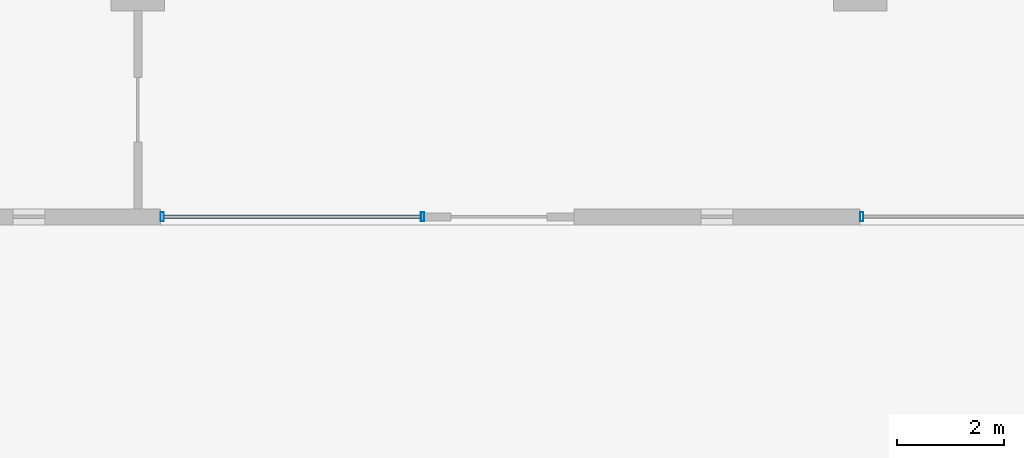
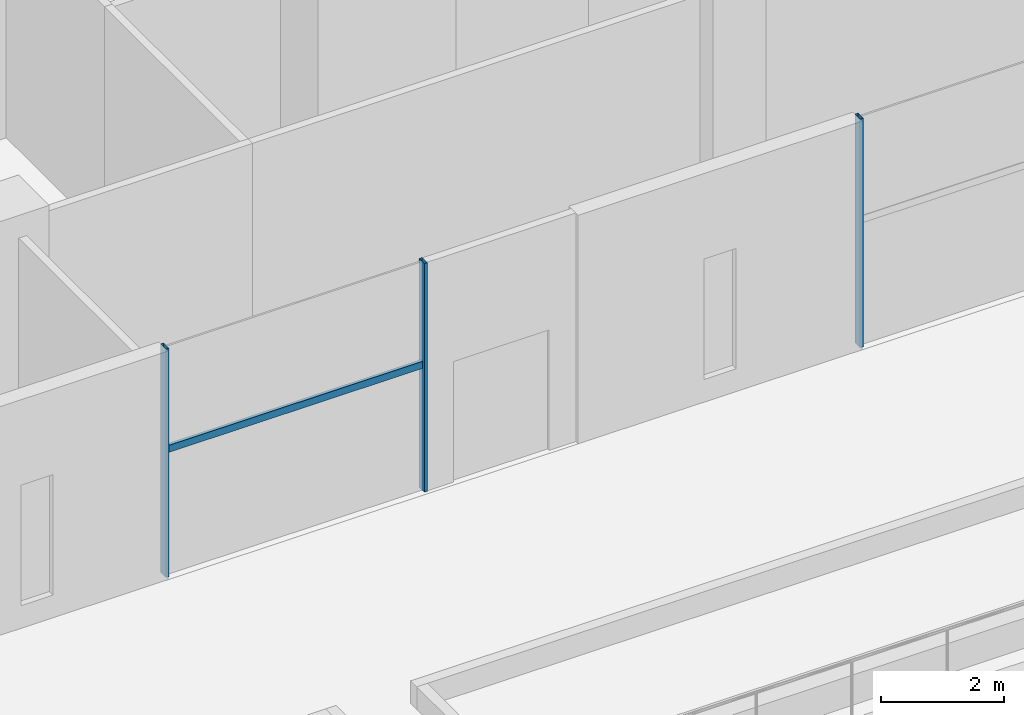
# One storey, part 2 of 49: 4 members, 2 elements without a shape of their own.
"""IFC4 building model written with IfcOpenShell, lengths in metres."""

from ifc_helpers import new_model, si_unit, direction, frame, origin, origin_2d, place, context, subcontext, project, spatial, hollow_rectangle, extrude, material, material_profile, profile_set, type_object, element, aggregate, save


model = new_model("IFC4")

# Units and contexts
model_context = context("Model", 3, precision=1e-05, world=origin(), true_north=direction((0.0, 1.0)))
body_context = subcontext(model_context, "Body", "Model", "MODEL_VIEW")
ifc_project = project(units=[si_unit("LENGTHUNIT", "METRE"), si_unit("AREAUNIT", "SQUARE_METRE"), si_unit("VOLUMEUNIT", "CUBIC_METRE"), si_unit("PLANEANGLEUNIT", "RADIAN"), si_unit("MASSUNIT", "GRAM", prefix="KILO")], contexts=[model_context])

# Site, building, storey
site_placement = place(None, origin())
site = spatial("IfcSite", under=ifc_project, at=site_placement, CompositionType="ELEMENT")
building_placement = place(site_placement, origin())
building = spatial("IfcBuilding", under=site, at=building_placement, Name="Altepetl Exchange Towers", CompositionType="ELEMENT")
storey_placement = place(building_placement, frame((0.0, 0.0, 11.5)))
storey = spatial("IfcBuildingStorey", under=building, at=storey_placement, Name="L02 Exchange podium", CompositionType="ELEMENT", Elevation=11.5)

# Curtain wall, members
ifc_material_1 = material(Name="Aluminium 6063-T6 glazing", Category="aluminium")
curtain_wall_type = type_object("IfcCurtainWallType", Name="Podium storefront system", PredefinedType="NOTDEFINED", material=ifc_material_1)
curtain_wall_1_placement = place(storey_placement, origin())
curtain_wall_1 = element("IfcCurtainWall", 1, at=curtain_wall_1_placement, inside=storey, type_object=curtain_wall_type, Name="CW5 run", PredefinedType="NOTDEFINED")
ifc_material_2 = material(Name="Aluminium 6063-T6", Category="aluminium")
ifc_material_profile_1 = material_profile(ifc_material_2, hollow_rectangle(XDim=0.06005859375, YDim=0.175048828125, WallThickness=0.0029296875, at=origin_2d()), Name="Mullion 60x175 aluminium")
ifc_profile_set_1 = profile_set([ifc_material_profile_1], Name="Aluminium 6063-T6")
member_type_1 = type_object("IfcMemberType", Name="Mullion 60x175 aluminium", PredefinedType="MULLION", material=ifc_profile_set_1)
member_1_placement = place(storey_placement, frame((22.955078125, 18.14990234375, 0.0)))
member_1 = element("IfcMember", 2, at=member_1_placement, type_object=member_type_1, Name="MU4 mullion", PredefinedType="MULLION", context=body_context, shape_type="SweptSolid", body=[
    extrude(hollow_rectangle(XDim=0.06005859375, YDim=0.175048828125, WallThickness=0.0029296875, at=origin_2d()), origin(), (0.0, 0.0, 1.0), 4.550048828125),
])
member_2_placement = place(storey_placement, frame((27.820068359375, 18.14990234375, 0.0)))
member_2 = element("IfcMember", 3, at=member_2_placement, type_object=member_type_1, Name="MU4 mullion", PredefinedType="MULLION", context=body_context, shape_type="SweptSolid", body=[
    extrude(hollow_rectangle(XDim=0.06005859375, YDim=0.175048828125, WallThickness=0.0029296875, at=origin_2d()), origin(), (0.0, 0.0, 1.0), 4.550048828125),
])

# Curtain wall, member
curtain_wall_2_placement = place(storey_placement, origin())
curtain_wall_2 = element("IfcCurtainWall", 4, at=curtain_wall_2_placement, inside=storey, type_object=curtain_wall_type, Name="CW5 run", PredefinedType="NOTDEFINED")
member_3_placement = place(storey_placement, frame((36.030029296875, 18.14990234375, 0.0)))
member_3 = element("IfcMember", 5, at=member_3_placement, type_object=member_type_1, Name="MU4 mullion", PredefinedType="MULLION", context=body_context, shape_type="SweptSolid", body=[
    extrude(hollow_rectangle(XDim=0.06005859375, YDim=0.175048828125, WallThickness=0.0029296875, at=origin_2d()), origin(), (0.0, 0.0, 1.0), 4.550048828125),
])
aggregate(curtain_wall_2, [member_3])

# Member
ifc_material_profile_2 = material_profile(ifc_material_2, hollow_rectangle(XDim=0.06005859375, YDim=0.139892578125, WallThickness=0.0029296875, at=origin_2d()), Name="Transom 60x140 aluminium")
ifc_profile_set_2 = profile_set([ifc_material_profile_2], Name="Aluminium 6063-T6")
member_type_2 = type_object("IfcMemberType", Name="Transom 60x140 aluminium", PredefinedType="USERDEFINED", material=ifc_profile_set_2)
member_4_placement = place(storey_placement, frame((22.985107421875, 18.14990234375, 2.5), z_axis=(1.0, 0.0, 0.0), x_axis=(0.0, 1.0, 0.0)))
member_4 = element("IfcMember", 6, at=member_4_placement, type_object=member_type_2, Name="TR3 transom", ObjectType="TRANSOM", PredefinedType="USERDEFINED", context=body_context, shape_type="SweptSolid", body=[
    extrude(hollow_rectangle(XDim=0.06005859375, YDim=0.139892578125, WallThickness=0.0029296875, at=origin_2d()), origin(), (0.0, 0.0, 1.0), 4.804931640625),
])

aggregate(curtain_wall_1, [member_1, member_2, member_4])

save(model, "model.ifc")
